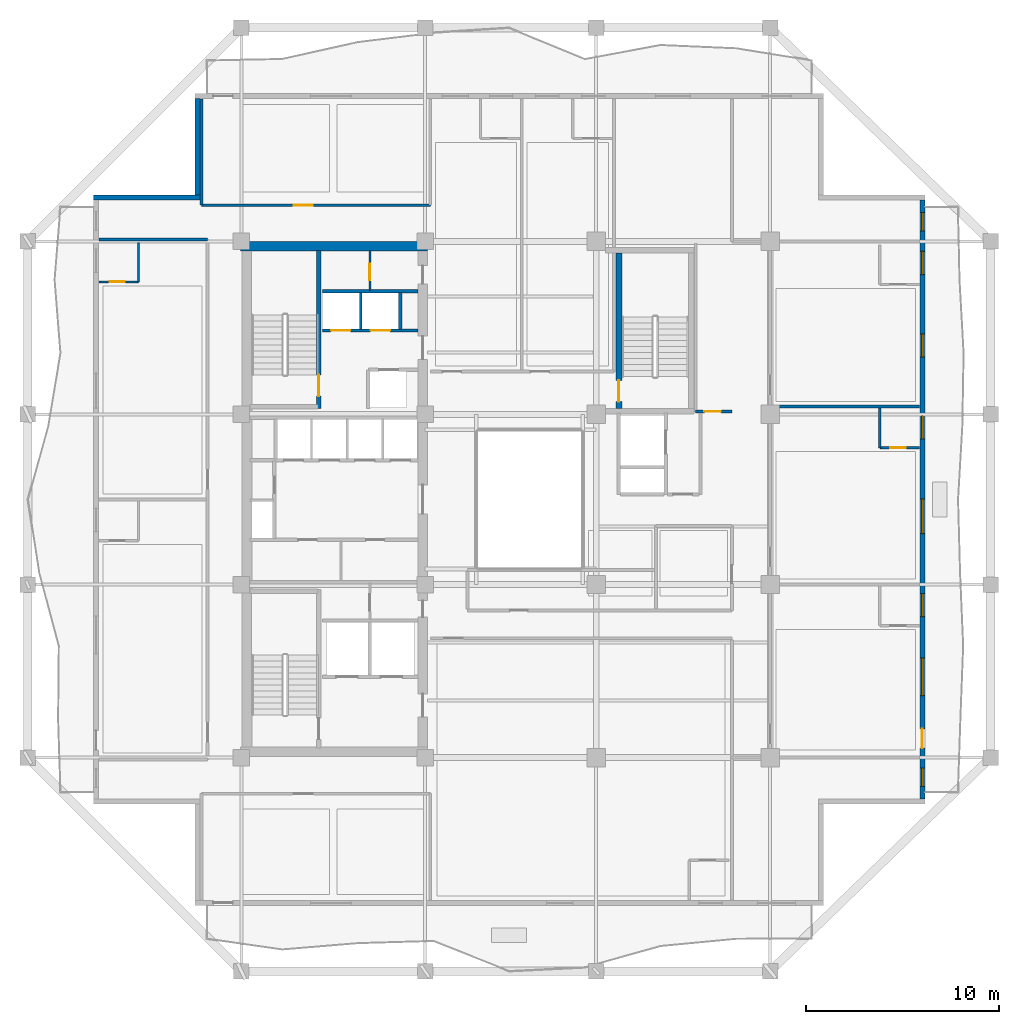
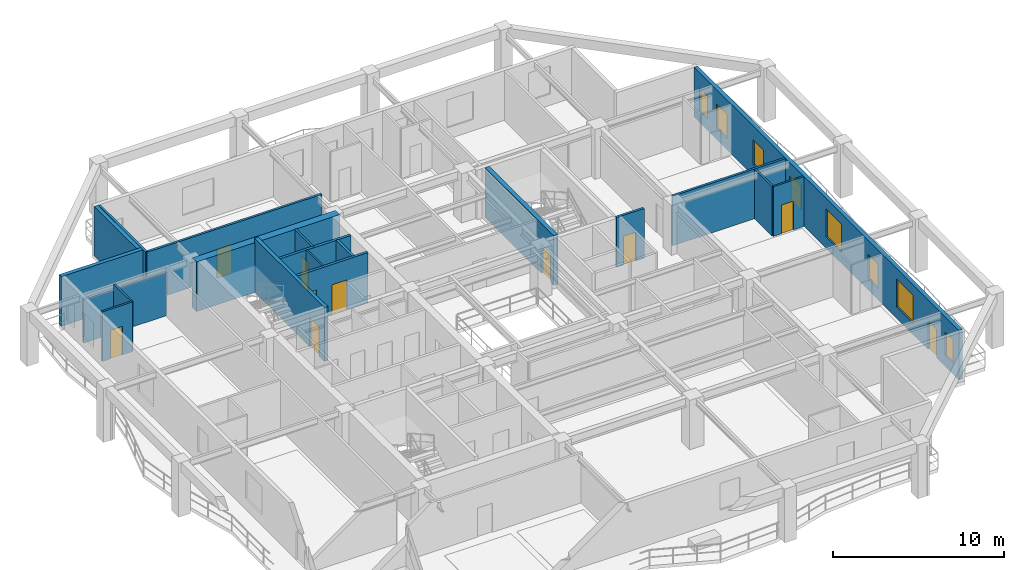
# One storey, part 5 of 12: 20 walls, 10 doors, 8 windows, 18 openings.
"""IFC4 building model written with IfcOpenShell, lengths in metres."""

from ifc_helpers import new_model, si_unit, direction, frame, frame_2d, origin, place, context, subcontext, project, spatial, rectangle, extrude, material, layer, layer_set, type_object, element, fill, save


model = new_model("IFC4")

# Units and contexts
model_context = context("Model", 3, precision=1e-05, world=origin(), true_north=direction((0.0, 1.0)))
body_context = subcontext(model_context, "Body", "Model", "MODEL_VIEW")
ifc_project = project(units=[si_unit("LENGTHUNIT", "METRE"), si_unit("AREAUNIT", "SQUARE_METRE"), si_unit("VOLUMEUNIT", "CUBIC_METRE"), si_unit("PLANEANGLEUNIT", "RADIAN"), si_unit("MASSUNIT", "GRAM", prefix="KILO")], contexts=[model_context])

# Site, building, storey
site_placement = place(None, origin())
site = spatial("IfcSite", under=ifc_project, at=site_placement, CompositionType="ELEMENT")
building_placement = place(site_placement, origin())
building = spatial("IfcBuilding", under=site, at=building_placement, Name="Kundavana Baori Tower", CompositionType="ELEMENT")
storey_placement = place(building_placement, frame((0.0, 0.0, 200.25)))
storey = spatial("IfcBuildingStorey", under=building, at=storey_placement, Name="L49", CompositionType="ELEMENT", Elevation=200.25)

# Wall, opening, door
ifc_material_1 = material(Name="Concrete C50/60", Category="concrete")
ifc_layer_1 = layer(ifc_material_1, 0.39990234375, Name="WL-CORE-400")
ifc_layer_set_1 = layer_set([ifc_layer_1], Name="Concrete C50/60")
wall_type_1 = type_object("IfcWallType", Name="WL-CORE-400", PredefinedType="SHEAR", material=ifc_layer_set_1)
wall_1_placement = place(storey_placement, frame((19.4599609375, 33.300048828125, 0.0), z_axis=(0.0, 0.0, 1.0), x_axis=(0.0, 1.0, 0.0)))
wall_1 = element("IfcWall", 1, at=wall_1_placement, inside=storey, type_object=wall_type_1, Name="WL-L49-ST2-E", PredefinedType="SHEAR", context=body_context, shape_type="SweptSolid", body=[
    extrude(rectangle(XDim=8.179931640625, YDim=0.239990234375, at=frame_2d((4.08984375, 0.0))), origin(), (0.0, 0.0, 1.0), 3.85009765625),
])
opening_1_placement = place(wall_1_placement, frame((0.64990234375, 0.0, 0.0)))
opening_1 = element("IfcOpeningElement", 2, at=opening_1_placement, cuts=wall_1, Name="Opening FD-110", PredefinedType="OPENING", context=body_context, shape_type="SweptSolid", body=[
    extrude(rectangle(XDim=1.10009765625, YDim=2.10009765625, at=frame_2d((0.550048828125, 1.050048828125))), frame((0.0, 0.1298828125, 0.0), z_axis=(0.0, -1.0, 0.0), x_axis=(1.0, 0.0, 0.0)), (0.0, 0.0, 1.0), 0.260009765625),
])
ifc_material_2 = material(Name="Galvanised Steel Fire-Rated Door Leaf", Category="steel")
door_type_1 = type_object("IfcDoorType", Name="DR-FD120-1100", OperationType="NOTDEFINED", PredefinedType="DOOR", material=ifc_material_2)
door_1_placement = place(opening_1_placement, origin())
door_1 = element("IfcDoor", 3, at=door_1_placement, inside=storey, type_object=door_type_1, Name="DR-L49-ST2", OperationType="SINGLE_SWING_RIGHT", OverallHeight=2.10009765625, OverallWidth=1.10009765625, PredefinedType="DOOR", context=body_context, shape_type="SweptSolid", body=[
    extrude(rectangle(XDim=1.10009765625, YDim=2.10009765625, at=frame_2d((0.550048828125, 1.050048828125))), frame((0.0, 0.02490234375, 0.0), z_axis=(0.0, -1.0, 0.0), x_axis=(1.0, 0.0, 0.0)), (0.0, 0.0, 1.0), 0.050048828125),
])
fill(opening_1, door_1)

# Wall
ifc_material_3 = material(Name="Concrete C50/60", Category="concrete")
ifc_layer_2 = layer(ifc_material_3, 0.5, Name="WL-CORE-500")
ifc_layer_set_2 = layer_set([ifc_layer_2], Name="Concrete C50/60")
wall_type_2 = type_object("IfcWallType", Name="WL-CORE-500", PredefinedType="SHEAR", material=ifc_layer_set_2)
wall_2_placement = place(storey_placement, frame((15.39990234375, 41.68994140625, 0.0), z_axis=(0.0, 0.0, 1.0), x_axis=(1.0, 0.0, 0.0)))
element("IfcWall", 4, at=wall_2_placement, inside=storey, type_object=wall_type_2, Name="L49 Offset Core North Shear Wall", PredefinedType="SHEAR", context=body_context, shape_type="SweptSolid", body=[
    extrude(rectangle(XDim=9.68017578125, YDim=0.5, at=frame_2d((4.840087890625, 0.0))), origin(), (0.0, 0.0, 1.0), 3.550048828125),
])

# Wall, openings, door, windows
ifc_material_4 = material(Name="Kiln-Fired Terracotta Brick-Slip Masonry on Concrete C40/50", Category="masonry")
ifc_layer_3 = layer(ifc_material_4, 0.260009765625, Name="WL-EXT-BRK-260")
ifc_layer_set_3 = layer_set([ifc_layer_3], Name="Kiln-Fired Terracotta Brick-Slip Masonry on Concrete C40/50")
wall_type_3 = type_object("IfcWallType", Name="WL-EXT-BRK-260", PredefinedType="SOLIDWALL", material=ifc_layer_set_3)
wall_3_placement = place(storey_placement, frame((50.669921875, 13.110107421875, 0.0), z_axis=(0.0, 0.0, 1.0), x_axis=(0.0, 1.0, 0.0)))
wall_3 = element("IfcWall", 5, at=wall_3_placement, inside=storey, type_object=wall_type_3, Name="L49 Exterior Insulated Facade Wall 04", PredefinedType="SOLIDWALL", context=body_context, shape_type="SweptSolid", body=[
    extrude(rectangle(XDim=30.97998046875, YDim=0.260009765625, at=frame_2d((15.489990234375, 0.0))), origin(), (0.0, 0.0, 1.0), 3.550048828125),
])
opening_2_placement = place(wall_3_placement, frame((0.64990234375, 0.0, 0.800048828125)))
opening_2 = element("IfcOpeningElement", 6, at=opening_2_placement, cuts=wall_3, Name="Opening W-13", PredefinedType="OPENING", context=body_context, shape_type="SweptSolid", body=[
    extrude(rectangle(XDim=0.949951171875, YDim=1.64990234375, at=frame_2d((0.47509765625, 0.824951171875))), frame((0.0, 0.14013671875, 0.0), z_axis=(0.0, -1.0, 0.0), x_axis=(1.0, 0.0, 0.0)), (0.0, 0.0, 1.0), 0.280029296875),
])
opening_3_placement = place(wall_3_placement, frame((2.6298828125, 0.0, 0.0)))
opening_3 = element("IfcOpeningElement", 7, at=opening_3_placement, cuts=wall_3, Name="Opening BD-1", PredefinedType="OPENING", context=body_context, shape_type="SweptSolid", body=[
    extrude(rectangle(XDim=1.0, YDim=2.050048828125, at=frame_2d((0.5, 1.02490234375))), frame((0.0, 0.14013671875, 0.0), z_axis=(0.0, -1.0, 0.0), x_axis=(1.0, 0.0, 0.0)), (0.0, 0.0, 1.0), 0.280029296875),
])
opening_4_placement = place(wall_3_placement, frame((5.35009765625, 0.0, 0.800048828125)))
opening_4 = element("IfcOpeningElement", 8, at=opening_4_placement, cuts=wall_3, Name="Opening W-09", PredefinedType="OPENING", context=body_context, shape_type="SweptSolid", body=[
    extrude(rectangle(XDim=1.949951171875, YDim=2.0, at=frame_2d((0.97509765625, 1.0))), frame((0.0, 0.14013671875, 0.0), z_axis=(0.0, -1.0, 0.0), x_axis=(1.0, 0.0, 0.0)), (0.0, 0.0, 1.0), 0.280029296875),
])
opening_5_placement = place(wall_3_placement, frame((9.425048828125, 0.0, 0.800048828125)))
opening_5 = element("IfcOpeningElement", 9, at=opening_5_placement, cuts=wall_3, Name="Opening W-03", PredefinedType="OPENING", context=body_context, shape_type="SweptSolid", body=[
    extrude(rectangle(XDim=1.199951171875, YDim=1.75, at=frame_2d((0.60009765625, 0.875))), frame((0.0, 0.14013671875, 0.0), z_axis=(0.0, -1.0, 0.0), x_axis=(1.0, 0.0, 0.0)), (0.0, 0.0, 1.0), 0.280029296875),
])
opening_6_placement = place(wall_3_placement, frame((13.72509765625, 0.0, 0.800048828125)))
opening_6 = element("IfcOpeningElement", 10, at=opening_6_placement, cuts=wall_3, Name="Opening W-01", PredefinedType="OPENING", context=body_context, shape_type="SweptSolid", body=[
    extrude(rectangle(XDim=1.800048828125, YDim=2.0, at=frame_2d((0.89990234375, 1.0))), frame((0.0, 0.14013671875, 0.0), z_axis=(0.0, -1.0, 0.0), x_axis=(1.0, 0.0, 0.0)), (0.0, 0.0, 1.0), 0.280029296875),
])
opening_7_placement = place(wall_3_placement, frame((18.625, 0.0, 0.800048828125)))
opening_7 = element("IfcOpeningElement", 11, at=opening_7_placement, cuts=wall_3, Name="Opening W-03", PredefinedType="OPENING", context=body_context, shape_type="SweptSolid", body=[
    extrude(rectangle(XDim=1.199951171875, YDim=1.75, at=frame_2d((0.60009765625, 0.875))), frame((0.0, 0.14013671875, 0.0), z_axis=(0.0, -1.0, 0.0), x_axis=(1.0, 0.0, 0.0)), (0.0, 0.0, 1.0), 0.280029296875),
])
opening_8_placement = place(wall_3_placement, frame((22.85009765625, 0.0, 0.800048828125)))
opening_8 = element("IfcOpeningElement", 12, at=opening_8_placement, cuts=wall_3, Name="Opening W-03", PredefinedType="OPENING", context=body_context, shape_type="SweptSolid", body=[
    extrude(rectangle(XDim=1.199951171875, YDim=1.75, at=frame_2d((0.60009765625, 0.875))), frame((0.0, 0.14013671875, 0.0), z_axis=(0.0, -1.0, 0.0), x_axis=(1.0, 0.0, 0.0)), (0.0, 0.0, 1.0), 0.280029296875),
])
opening_9_placement = place(wall_3_placement, frame((27.125, 0.0, 0.800048828125)))
opening_9 = element("IfcOpeningElement", 13, at=opening_9_placement, cuts=wall_3, Name="Opening W-03", PredefinedType="OPENING", context=body_context, shape_type="SweptSolid", body=[
    extrude(rectangle(XDim=1.199951171875, YDim=1.75, at=frame_2d((0.60009765625, 0.875))), frame((0.0, 0.14013671875, 0.0), z_axis=(0.0, -1.0, 0.0), x_axis=(1.0, 0.0, 0.0)), (0.0, 0.0, 1.0), 0.280029296875),
])
opening_10_placement = place(wall_3_placement, frame((29.3798828125, 0.0, 0.800048828125)))
opening_10 = element("IfcOpeningElement", 14, at=opening_10_placement, cuts=wall_3, Name="Opening W-13", PredefinedType="OPENING", context=body_context, shape_type="SweptSolid", body=[
    extrude(rectangle(XDim=0.949951171875, YDim=1.64990234375, at=frame_2d((0.47509765625, 0.824951171875))), frame((0.0, 0.14013671875, 0.0), z_axis=(0.0, -1.0, 0.0), x_axis=(1.0, 0.0, 0.0)), (0.0, 0.0, 1.0), 0.280029296875),
])
ifc_material_5 = material(Name="Architectural Patinated Bronze Metalwork")
door_type_2 = type_object("IfcDoorType", Name="DR-EXT-LOG-1000", OperationType="NOTDEFINED", PredefinedType="DOOR", material=ifc_material_5)
door_2_placement = place(opening_3_placement, frame((1.0, 0.0, 0.0), z_axis=(0.0, 0.0, 1.0), x_axis=(-1.0, 0.0, 0.0)))
door_2 = element("IfcDoor", 15, at=door_2_placement, inside=storey, type_object=door_type_2, Name="L49 Loggia Balcony Access Door E", OperationType="SINGLE_SWING_LEFT", OverallHeight=2.050048828125, OverallWidth=1.0, PredefinedType="DOOR", context=body_context, shape_type="SweptSolid", body=[
    extrude(rectangle(XDim=1.0, YDim=2.050048828125, at=frame_2d((0.5, 1.02490234375))), frame((0.0, 0.02490234375, 0.0), z_axis=(0.0, -1.0, 0.0), x_axis=(1.0, 0.0, 0.0)), (0.0, 0.0, 1.0), 0.050048828125),
])
fill(opening_3, door_2)
ifc_material_6 = material(Name="Double-Glazed Solar-Control Low-E Insulated Glass", Category="glass")
window_type_1 = type_object("IfcWindowType", Name="WIN-LOG-1200x1750", PartitioningType="SINGLE_PANEL", PredefinedType="WINDOW", material=ifc_material_6)
window_1_placement = place(opening_5_placement, origin())
window_1 = element("IfcWindow", 16, at=window_1_placement, inside=storey, type_object=window_type_1, Name="L49 Recessed Loggia Window E-3", OverallHeight=1.75, OverallWidth=1.199951171875, PartitioningType="SINGLE_PANEL", PredefinedType="WINDOW", context=body_context, shape_type="SweptSolid", body=[
    extrude(rectangle(XDim=1.199951171875, YDim=1.75, at=frame_2d((0.60009765625, 0.875))), frame((0.0, 0.030029296875, 0.0), z_axis=(0.0, -1.0, 0.0), x_axis=(1.0, 0.0, 0.0)), (0.0, 0.0, 1.0), 0.06005859375),
])
fill(opening_5, window_1)
window_2_placement = place(opening_7_placement, origin())
window_2 = element("IfcWindow", 17, at=window_2_placement, inside=storey, type_object=window_type_1, Name="L49 Recessed Loggia Window E-5", OverallHeight=1.75, OverallWidth=1.199951171875, PartitioningType="SINGLE_PANEL", PredefinedType="WINDOW", context=body_context, shape_type="SweptSolid", body=[
    extrude(rectangle(XDim=1.199951171875, YDim=1.75, at=frame_2d((0.60009765625, 0.875))), frame((0.0, 0.030029296875, 0.0), z_axis=(0.0, -1.0, 0.0), x_axis=(1.0, 0.0, 0.0)), (0.0, 0.0, 1.0), 0.06005859375),
])
fill(opening_7, window_2)
window_3_placement = place(opening_8_placement, origin())
window_3 = element("IfcWindow", 18, at=window_3_placement, inside=storey, type_object=window_type_1, Name="L49 Recessed Loggia Window E-6", OverallHeight=1.75, OverallWidth=1.199951171875, PartitioningType="SINGLE_PANEL", PredefinedType="WINDOW", context=body_context, shape_type="SweptSolid", body=[
    extrude(rectangle(XDim=1.199951171875, YDim=1.75, at=frame_2d((0.60009765625, 0.875))), frame((0.0, 0.030029296875, 0.0), z_axis=(0.0, -1.0, 0.0), x_axis=(1.0, 0.0, 0.0)), (0.0, 0.0, 1.0), 0.06005859375),
])
fill(opening_8, window_3)
window_4_placement = place(opening_9_placement, origin())
window_4 = element("IfcWindow", 19, at=window_4_placement, inside=storey, type_object=window_type_1, Name="L49 Recessed Loggia Window E-7", OverallHeight=1.75, OverallWidth=1.199951171875, PartitioningType="SINGLE_PANEL", PredefinedType="WINDOW", context=body_context, shape_type="SweptSolid", body=[
    extrude(rectangle(XDim=1.199951171875, YDim=1.75, at=frame_2d((0.60009765625, 0.875))), frame((0.0, 0.030029296875, 0.0), z_axis=(0.0, -1.0, 0.0), x_axis=(1.0, 0.0, 0.0)), (0.0, 0.0, 1.0), 0.06005859375),
])
fill(opening_9, window_4)
ifc_material_7 = material(Name="Double-Glazed Solar-Control Low-E Insulated Glass", Category="glass")
window_type_2 = type_object("IfcWindowType", Name="WIN-LOG-1800x2000", PartitioningType="SINGLE_PANEL", PredefinedType="WINDOW", material=ifc_material_7)
window_5_placement = place(opening_6_placement, origin())
window_5 = element("IfcWindow", 20, at=window_5_placement, inside=storey, type_object=window_type_2, Name="L49 Recessed Loggia Window E-4", OverallHeight=2.0, OverallWidth=1.800048828125, PartitioningType="SINGLE_PANEL", PredefinedType="WINDOW", context=body_context, shape_type="SweptSolid", body=[
    extrude(rectangle(XDim=1.800048828125, YDim=2.0, at=frame_2d((0.89990234375, 1.0))), frame((0.0, 0.030029296875, 0.0), z_axis=(0.0, -1.0, 0.0), x_axis=(1.0, 0.0, 0.0)), (0.0, 0.0, 1.0), 0.06005859375),
])
fill(opening_6, window_5)
ifc_material_8 = material(Name="Double-Glazed Solar-Control Low-E Insulated Glass", Category="glass")
window_type_3 = type_object("IfcWindowType", Name="WIN-LOG-1950x2000", PartitioningType="SINGLE_PANEL", PredefinedType="WINDOW", material=ifc_material_8)
window_6_placement = place(opening_4_placement, origin())
window_6 = element("IfcWindow", 21, at=window_6_placement, inside=storey, type_object=window_type_3, Name="L49 Recessed Loggia Window E-2", OverallHeight=2.0, OverallWidth=1.949951171875, PartitioningType="SINGLE_PANEL", PredefinedType="WINDOW", context=body_context, shape_type="SweptSolid", body=[
    extrude(rectangle(XDim=1.949951171875, YDim=2.0, at=frame_2d((0.97509765625, 1.0))), frame((0.0, 0.030029296875, 0.0), z_axis=(0.0, -1.0, 0.0), x_axis=(1.0, 0.0, 0.0)), (0.0, 0.0, 1.0), 0.06005859375),
])
fill(opening_4, window_6)
ifc_material_9 = material(Name="Double-Glazed Solar-Control Low-E Insulated Glass", Category="glass")
window_type_4 = type_object("IfcWindowType", Name="WIN-LOG-950x1650", PartitioningType="SINGLE_PANEL", PredefinedType="WINDOW", material=ifc_material_9)
window_7_placement = place(opening_2_placement, origin())
window_7 = element("IfcWindow", 22, at=window_7_placement, inside=storey, type_object=window_type_4, Name="L49 Recessed Loggia Window E-1", OverallHeight=1.64990234375, OverallWidth=0.949951171875, PartitioningType="SINGLE_PANEL", PredefinedType="WINDOW", context=body_context, shape_type="SweptSolid", body=[
    extrude(rectangle(XDim=0.949951171875, YDim=1.64990234375, at=frame_2d((0.47509765625, 0.824951171875))), frame((0.0, 0.030029296875, 0.0), z_axis=(0.0, -1.0, 0.0), x_axis=(1.0, 0.0, 0.0)), (0.0, 0.0, 1.0), 0.06005859375),
])
fill(opening_2, window_7)
window_8_placement = place(opening_10_placement, origin())
window_8 = element("IfcWindow", 23, at=window_8_placement, inside=storey, type_object=window_type_4, Name="L49 Recessed Loggia Window E-8", OverallHeight=1.64990234375, OverallWidth=0.949951171875, PartitioningType="SINGLE_PANEL", PredefinedType="WINDOW", context=body_context, shape_type="SweptSolid", body=[
    extrude(rectangle(XDim=0.949951171875, YDim=1.64990234375, at=frame_2d((0.47509765625, 0.824951171875))), frame((0.0, 0.030029296875, 0.0), z_axis=(0.0, -1.0, 0.0), x_axis=(1.0, 0.0, 0.0)), (0.0, 0.0, 1.0), 0.06005859375),
])
fill(opening_10, window_8)

# Walls
wall_4_placement = place(storey_placement, frame((13.179931640625, 49.340087890625, 0.0), z_axis=(0.0, 0.0, 1.0), x_axis=(0.0, -1.0, 0.0)))
element("IfcWall", 24, at=wall_4_placement, inside=storey, type_object=wall_type_3, Name="L49 Exterior Insulated Facade Wall 08", PredefinedType="SOLIDWALL", context=body_context, shape_type="SweptSolid", body=[
    extrude(rectangle(XDim=4.989990234375, YDim=0.260009765625, at=frame_2d((2.4951171875, 0.0))), origin(), (0.0, 0.0, 1.0), 3.550048828125),
])
wall_5_placement = place(storey_placement, frame((13.31005859375, 44.219970703125, 0.0), z_axis=(0.0, 0.0, 1.0), x_axis=(-1.0, 0.0, 0.0)))
element("IfcWall", 25, at=wall_5_placement, inside=storey, type_object=wall_type_3, Name="L49 Exterior Insulated Facade Wall 09", PredefinedType="SOLIDWALL", context=body_context, shape_type="SweptSolid", body=[
    extrude(rectangle(XDim=5.510009765625, YDim=0.260009765625, at=frame_2d((2.7548828125, 0.0))), origin(), (0.0, 0.0, 1.0), 3.550048828125),
])
ifc_material_10 = material(Name="Acoustic Gypsum Plasterboard on Galvanised Steel Studs", Category="steel")
ifc_layer_4 = layer(ifc_material_10, 0.1201171875, Name="WL-PART-120")
ifc_layer_set_4 = layer_set([ifc_layer_4], Name="Acoustic Gypsum Plasterboard on Galvanised Steel Studs")
wall_type_4 = type_object("IfcWallType", Name="WL-PART-120", PredefinedType="PARTITIONING", material=ifc_layer_set_4)
wall_6_placement = place(storey_placement, frame((21.6201171875, 37.39990234375, 0.0), z_axis=(0.0, 0.0, 1.0), x_axis=(0.0, 1.0, 0.0)))
element("IfcWall", 26, at=wall_6_placement, inside=storey, type_object=wall_type_4, Name="WL-L49-HR-DIV1", PredefinedType="PARTITIONING", context=body_context, shape_type="SweptSolid", body=[
    extrude(rectangle(XDim=1.900146484375, YDim=0.1201171875, at=frame_2d((0.9501953125, 0.0))), origin(), (0.0, 0.0, 1.0), 3.550048828125),
])

# Wall, opening, door
wall_7_placement = place(storey_placement, frame((22.10009765625, 39.39990234375, 0.0), z_axis=(0.0, 0.0, 1.0), x_axis=(0.0, 1.0, 0.0)))
wall_7 = element("IfcWall", 27, at=wall_7_placement, inside=storey, type_object=wall_type_4, Name="WL-L49-CSRV-D1", PredefinedType="PARTITIONING", context=body_context, shape_type="SweptSolid", body=[
    extrude(rectangle(XDim=2.080078125, YDim=0.1201171875, at=frame_2d((1.0400390625, 0.0))), origin(), (0.0, 0.0, 1.0), 3.550048828125),
])
opening_11_placement = place(wall_7_placement, frame((0.550048828125, 0.0, 0.0)))
opening_11 = element("IfcOpeningElement", 28, at=opening_11_placement, cuts=wall_7, Name="Opening FD-085", PredefinedType="OPENING", context=body_context, shape_type="SweptSolid", body=[
    extrude(rectangle(XDim=0.85009765625, YDim=2.06005859375, at=frame_2d((0.425048828125, 1.030029296875))), frame((0.0, 0.070068359375, 0.0), z_axis=(0.0, -1.0, 0.0), x_axis=(1.0, 0.0, 0.0)), (0.0, 0.0, 1.0), 0.14013671875),
])
ifc_material_11 = material(Name="Galvanised Steel Fire-Rated Door Leaf", Category="steel")
door_type_3 = type_object("IfcDoorType", Name="DR-FD60-850", OperationType="NOTDEFINED", PredefinedType="DOOR", material=ifc_material_11)
door_3_placement = place(opening_11_placement, origin())
door_3 = element("IfcDoor", 29, at=door_3_placement, inside=storey, type_object=door_type_3, Name="DR-L49-CSRV1", OperationType="SINGLE_SWING_LEFT", OverallHeight=2.06005859375, OverallWidth=0.85009765625, PredefinedType="DOOR", context=body_context, shape_type="SweptSolid", body=[
    extrude(rectangle(XDim=0.85009765625, YDim=2.06005859375, at=frame_2d((0.425048828125, 1.030029296875))), frame((0.0, 0.02490234375, 0.0), z_axis=(0.0, -1.0, 0.0), x_axis=(1.0, 0.0, 0.0)), (0.0, 0.0, 1.0), 0.050048828125),
])
fill(opening_11, door_3)

# Wall
ifc_material_12 = material(Name="Fire-Rated Gypsum Drywall on Galvanised Steel Studs", Category="steel")
ifc_layer_5 = layer(ifc_material_12, 0.14990234375, Name="WL-PART-150")
ifc_layer_set_5 = layer_set([ifc_layer_5], Name="Fire-Rated Gypsum Drywall on Galvanised Steel Studs")
wall_type_5 = type_object("IfcWallType", Name="WL-PART-150", PredefinedType="PARTITIONING", material=ifc_layer_set_5)
wall_8_placement = place(storey_placement, frame((8.080078125, 42.0400390625, 0.0), z_axis=(0.0, 0.0, 1.0), x_axis=(1.0, 0.0, 0.0)))
element("IfcWall", 30, at=wall_8_placement, inside=storey, type_object=wall_type_5, Name="WL-L49-HWN", PredefinedType="PARTITIONING", context=body_context, shape_type="SweptSolid", body=[
    extrude(rectangle(XDim=5.619873046875, YDim=0.14990234375, at=frame_2d((2.81005859375, 0.0))), origin(), (0.0, 0.0, 1.0), 3.10009765625),
])

# Wall, opening, door
wall_9_placement = place(storey_placement, frame((13.389892578125, 43.820068359375, 0.0), z_axis=(0.0, 0.0, 1.0), x_axis=(1.0, 0.0, 0.0)))
wall_9 = element("IfcWall", 31, at=wall_9_placement, inside=storey, type_object=wall_type_5, Name="WL-L49-HNC", PredefinedType="PARTITIONING", context=body_context, shape_type="SweptSolid", body=[
    extrude(rectangle(XDim=11.830078125, YDim=0.14990234375, at=frame_2d((5.9150390625, 0.0))), origin(), (0.0, 0.0, 1.0), 3.550048828125),
])
opening_12_placement = place(wall_9_placement, frame((4.760009765625, 0.0, 0.0)))
opening_12 = element("IfcOpeningElement", 32, at=opening_12_placement, cuts=wall_9, Name="Opening ID-100", PredefinedType="OPENING", context=body_context, shape_type="SweptSolid", body=[
    extrude(rectangle(XDim=1.0, YDim=2.080078125, at=frame_2d((0.5, 1.0400390625))), frame((0.0, 0.0849609375, 0.0), z_axis=(0.0, -1.0, 0.0), x_axis=(1.0, 0.0, 0.0)), (0.0, 0.0, 1.0), 0.169921875),
])
ifc_material_13 = material(Name="Engineered Teak Solid-Core Timber Veneer", Category="wood")
door_type_4 = type_object("IfcDoorType", Name="DR-INT-1000", OperationType="NOTDEFINED", PredefinedType="DOOR", material=ifc_material_13)
door_4_placement = place(opening_12_placement, origin())
door_4 = element("IfcDoor", 33, at=door_4_placement, inside=storey, type_object=door_type_4, Name="DR-L49-HMNW", OperationType="SINGLE_SWING_RIGHT", OverallHeight=2.080078125, OverallWidth=1.0, PredefinedType="DOOR", context=body_context, shape_type="SweptSolid", body=[
    extrude(rectangle(XDim=1.0, YDim=2.080078125, at=frame_2d((0.5, 1.0400390625))), frame((0.0, 0.02490234375, 0.0), z_axis=(0.0, -1.0, 0.0), x_axis=(1.0, 0.0, 0.0)), (0.0, 0.0, 1.0), 0.050048828125),
])
fill(opening_12, door_4)

# Walls
wall_10_placement = place(storey_placement, frame((13.389892578125, 43.820068359375, 0.0), z_axis=(0.0, 0.0, 1.0), x_axis=(0.0, 1.0, 0.0)))
element("IfcWall", 34, at=wall_10_placement, inside=storey, type_object=wall_type_5, Name="WL-L49-HNCW", PredefinedType="PARTITIONING", context=body_context, shape_type="SweptSolid", body=[
    extrude(rectangle(XDim=5.5, YDim=0.14990234375, at=frame_2d((2.75, 0.0))), origin(), (0.0, 0.0, 1.0), 3.550048828125),
])
wall_11_placement = place(storey_placement, frame((42.8798828125, 33.39990234375, 0.0), z_axis=(0.0, 0.0, 1.0), x_axis=(1.0, 0.0, 0.0)))
element("IfcWall", 35, at=wall_11_placement, inside=storey, type_object=wall_type_5, Name="WL-L49-HED2", PredefinedType="PARTITIONING", context=body_context, shape_type="SweptSolid", body=[
    extrude(rectangle(XDim=7.64013671875, YDim=0.14990234375, at=frame_2d((3.820068359375, 0.0))), origin(), (0.0, 0.0, 1.0), 3.550048828125),
])

# Wall, opening, door
wall_12_placement = place(storey_placement, frame((38.949951171875, 33.14990234375, 0.0), z_axis=(0.0, 0.0, 1.0), x_axis=(1.0, 0.0, 0.0)))
wall_12 = element("IfcWall", 36, at=wall_12_placement, inside=storey, type_object=wall_type_5, Name="WL-L49-HNES", PredefinedType="PARTITIONING", context=body_context, shape_type="SweptSolid", body=[
    extrude(rectangle(XDim=1.8701171875, YDim=0.14990234375, at=frame_2d((0.93505859375, 0.0))), origin(), (0.0, 0.0, 1.0), 3.550048828125),
])
opening_13_placement = place(wall_12_placement, frame((0.449951171875, 0.0, 0.0)))
opening_13 = element("IfcOpeningElement", 37, at=opening_13_placement, cuts=wall_12, Name="Opening WD-085", PredefinedType="OPENING", context=body_context, shape_type="SweptSolid", body=[
    extrude(rectangle(XDim=0.85009765625, YDim=2.050048828125, at=frame_2d((0.425048828125, 1.02490234375))), frame((0.0, 0.0849609375, 0.0), z_axis=(0.0, -1.0, 0.0), x_axis=(1.0, 0.0, 0.0)), (0.0, 0.0, 1.0), 0.169921875),
])
ifc_material_14 = material(Name="Engineered Teak Solid-Core Timber Veneer", Category="wood")
door_type_5 = type_object("IfcDoorType", Name="DR-WET-850", OperationType="NOTDEFINED", PredefinedType="DOOR", material=ifc_material_14)
door_5_placement = place(opening_13_placement, origin())
door_5 = element("IfcDoor", 38, at=door_5_placement, inside=storey, type_object=door_type_5, Name="DR-L49-HLNE", OperationType="SINGLE_SWING_LEFT", OverallHeight=2.050048828125, OverallWidth=0.85009765625, PredefinedType="DOOR", context=body_context, shape_type="SweptSolid", body=[
    extrude(rectangle(XDim=0.85009765625, YDim=2.050048828125, at=frame_2d((0.425048828125, 1.02490234375))), frame((0.0, 0.02490234375, 0.0), z_axis=(0.0, -1.0, 0.0), x_axis=(1.0, 0.0, 0.0)), (0.0, 0.0, 1.0), 0.050048828125),
])
fill(opening_13, door_5)

# Wall, openings, doors
ifc_material_15 = material(Name="Autoclaved Aerated Concrete Blockwork Masonry", Category="masonry")
ifc_layer_6 = layer(ifc_material_15, 0.179931640625, Name="WL-SHAFT-180")
ifc_layer_set_6 = layer_set([ifc_layer_6], Name="Autoclaved Aerated Concrete Blockwork Masonry")
wall_type_6 = type_object("IfcWallType", Name="WL-SHAFT-180", PredefinedType="SOLIDWALL", material=ifc_layer_set_6)
wall_13_placement = place(storey_placement, frame((19.639892578125, 37.340087890625, 0.0), z_axis=(0.0, 0.0, 1.0), x_axis=(1.0, 0.0, 0.0)))
wall_13 = element("IfcWall", 39, at=wall_13_placement, inside=storey, type_object=wall_type_6, Name="WL-L49-HRLOB-N", PredefinedType="SOLIDWALL", context=body_context, shape_type="SweptSolid", body=[
    extrude(rectangle(XDim=4.940185546875, YDim=0.179931640625, at=frame_2d((2.47021484375, 0.0))), origin(), (0.0, 0.0, 1.0), 3.550048828125),
])
opening_14_placement = place(wall_13_placement, frame((0.449951171875, 0.0, 0.0)))
opening_14 = element("IfcOpeningElement", 40, at=opening_14_placement, cuts=wall_13, Name="Opening LD-100", PredefinedType="OPENING", context=body_context, shape_type="SweptSolid", body=[
    extrude(rectangle(XDim=1.0, YDim=2.10009765625, at=frame_2d((0.5, 1.050048828125))), frame((0.0, 0.10009765625, 0.0), z_axis=(0.0, -1.0, 0.0), x_axis=(1.0, 0.0, 0.0)), (0.0, 0.0, 1.0), 0.199951171875),
])
opening_15_placement = place(wall_13_placement, frame((2.5, 0.0, 0.0)))
opening_15 = element("IfcOpeningElement", 41, at=opening_15_placement, cuts=wall_13, Name="Opening LD-100", PredefinedType="OPENING", context=body_context, shape_type="SweptSolid", body=[
    extrude(rectangle(XDim=1.0, YDim=2.10009765625, at=frame_2d((0.5, 1.050048828125))), frame((0.0, 0.10009765625, 0.0), z_axis=(0.0, -1.0, 0.0), x_axis=(1.0, 0.0, 0.0)), (0.0, 0.0, 1.0), 0.199951171875),
])
ifc_material_16 = material(Name="Galvanised Steel Fire-Rated Door Leaf", Category="steel")
door_type_6 = type_object("IfcDoorType", Name="DR-SLIDE-LD1000", OperationType="NOTDEFINED", PredefinedType="DOOR", material=ifc_material_16)
door_6_placement = place(opening_14_placement, frame((1.0, 0.0, 0.0), z_axis=(0.0, 0.0, 1.0), x_axis=(-1.0, 0.0, 0.0)))
door_6 = element("IfcDoor", 42, at=door_6_placement, inside=storey, type_object=door_type_6, Name="DR-L49-LD-LP09", OperationType="DOUBLE_DOOR_SLIDING", OverallHeight=2.10009765625, OverallWidth=1.0, PredefinedType="DOOR", context=body_context, shape_type="SweptSolid", body=[
    extrude(rectangle(XDim=1.0, YDim=2.10009765625, at=frame_2d((0.5, 1.050048828125))), frame((0.0, 0.02490234375, 0.0), z_axis=(0.0, -1.0, 0.0), x_axis=(1.0, 0.0, 0.0)), (0.0, 0.0, 1.0), 0.050048828125),
])
fill(opening_14, door_6)
door_7_placement = place(opening_15_placement, frame((1.0, 0.0, 0.0), z_axis=(0.0, 0.0, 1.0), x_axis=(-1.0, 0.0, 0.0)))
door_7 = element("IfcDoor", 43, at=door_7_placement, inside=storey, type_object=door_type_6, Name="DR-L49-LD-LP10", OperationType="DOUBLE_DOOR_SLIDING", OverallHeight=2.10009765625, OverallWidth=1.0, PredefinedType="DOOR", context=body_context, shape_type="SweptSolid", body=[
    extrude(rectangle(XDim=1.0, YDim=2.10009765625, at=frame_2d((0.5, 1.050048828125))), frame((0.0, 0.02490234375, 0.0), z_axis=(0.0, -1.0, 0.0), x_axis=(1.0, 0.0, 0.0)), (0.0, 0.0, 1.0), 0.050048828125),
])
fill(opening_15, door_7)

# Walls
wall_14_placement = place(storey_placement, frame((19.639892578125, 39.360107421875, 0.0), z_axis=(0.0, 0.0, 1.0), x_axis=(1.0, 0.0, 0.0)))
element("IfcWall", 44, at=wall_14_placement, inside=storey, type_object=wall_type_6, Name="WL-L49-HRLOB-TOP", PredefinedType="SOLIDWALL", context=body_context, shape_type="SweptSolid", body=[
    extrude(rectangle(XDim=4.940185546875, YDim=0.179931640625, at=frame_2d((2.47021484375, 0.0))), origin(), (0.0, 0.0, 1.0), 3.550048828125),
])
wall_15_placement = place(storey_placement, frame((23.659912109375, 37.39990234375, 0.0), z_axis=(0.0, 0.0, 1.0), x_axis=(0.0, 1.0, 0.0)))
element("IfcWall", 45, at=wall_15_placement, inside=storey, type_object=wall_type_6, Name="WL-L49-HR-DIV2", PredefinedType="SOLIDWALL", context=body_context, shape_type="SweptSolid", body=[
    extrude(rectangle(XDim=1.900146484375, YDim=0.179931640625, at=frame_2d((0.9501953125, 0.0))), origin(), (0.0, 0.0, 1.0), 3.550048828125),
])

# Wall, opening, door
ifc_material_17 = material(Name="Concrete C50/60", Category="concrete")
ifc_layer_7 = layer(ifc_material_17, 0.300048828125, Name="WL-ST3-300")
ifc_layer_set_7 = layer_set([ifc_layer_7], Name="Concrete C50/60")
wall_type_7 = type_object("IfcWallType", Name="WL-ST3-300", PredefinedType="SHEAR", material=ifc_layer_set_7)
wall_16_placement = place(storey_placement, frame((34.97998046875, 33.31005859375, 0.0), z_axis=(0.0, 0.0, 1.0), x_axis=(0.0, 1.0, 0.0)))
wall_16 = element("IfcWall", 46, at=wall_16_placement, inside=storey, type_object=wall_type_7, Name="L49 Stair ST3 West Shear Wall", PredefinedType="SHEAR", context=body_context, shape_type="SweptSolid", body=[
    extrude(rectangle(XDim=8.030029296875, YDim=0.300048828125, at=frame_2d((4.01513671875, 0.0))), origin(), (0.0, 0.0, 1.0), 3.550048828125),
])
opening_16_placement = place(wall_16_placement, frame((0.35009765625, 0.0, 0.0)))
opening_16 = element("IfcOpeningElement", 47, at=opening_16_placement, cuts=wall_16, Name="Opening FD-110", PredefinedType="OPENING", context=body_context, shape_type="SweptSolid", body=[
    extrude(rectangle(XDim=1.10009765625, YDim=2.10009765625, at=frame_2d((0.550048828125, 1.050048828125))), frame((0.0, 0.16015625, 0.0), z_axis=(0.0, -1.0, 0.0), x_axis=(1.0, 0.0, 0.0)), (0.0, 0.0, 1.0), 0.320068359375),
])
door_8_placement = place(opening_16_placement, origin())
door_8 = element("IfcDoor", 48, at=door_8_placement, inside=storey, type_object=door_type_1, Name="DR-L49-ST3-W", OperationType="SINGLE_SWING_LEFT", OverallHeight=2.10009765625, OverallWidth=1.10009765625, PredefinedType="DOOR", context=body_context, shape_type="SweptSolid", body=[
    extrude(rectangle(XDim=1.10009765625, YDim=2.10009765625, at=frame_2d((0.550048828125, 1.050048828125))), frame((0.0, 0.02490234375, 0.0), z_axis=(0.0, -1.0, 0.0), x_axis=(1.0, 0.0, 0.0)), (0.0, 0.0, 1.0), 0.050048828125),
])
fill(opening_16, door_8)

# Wall
ifc_material_18 = material(Name="Autoclaved Aerated Concrete Blockwork Masonry", Category="masonry")
ifc_layer_8 = layer(ifc_material_18, 0.125, Name="WL-WET-120")
ifc_layer_set_8 = layer_set([ifc_layer_8], Name="Autoclaved Aerated Concrete Blockwork Masonry")
wall_type_8 = type_object("IfcWallType", Name="WL-WET-120", PredefinedType="PLUMBINGWALL", material=ifc_layer_set_8)
wall_17_placement = place(storey_placement, frame((10.1298828125, 39.85009765625, 0.0), z_axis=(0.0, 0.0, 1.0), x_axis=(0.0, 1.0, 0.0)))
element("IfcWall", 49, at=wall_17_placement, inside=storey, type_object=wall_type_8, Name="WL-L49-HK-W2-BE", PredefinedType="PLUMBINGWALL", context=body_context, shape_type="SweptSolid", body=[
    extrude(rectangle(XDim=2.0498046875, YDim=0.125, at=frame_2d((1.02490234375, 0.0))), origin(), (0.0, 0.0, 1.0), 3.550048828125),
])

# Wall, opening, door
wall_18_placement = place(storey_placement, frame((8.080078125, 39.85009765625, 0.0), z_axis=(0.0, 0.0, 1.0), x_axis=(1.0, 0.0, 0.0)))
wall_18 = element("IfcWall", 50, at=wall_18_placement, inside=storey, type_object=wall_type_8, Name="WL-L49-HK-W2-BS", PredefinedType="PLUMBINGWALL", context=body_context, shape_type="SweptSolid", body=[
    extrude(rectangle(XDim=2.0498046875, YDim=0.125, at=frame_2d((1.02490234375, 0.0))), origin(), (0.0, 0.0, 1.0), 3.550048828125),
])
opening_17_placement = place(wall_18_placement, frame((0.550048828125, 0.0, 0.0)))
opening_17 = element("IfcOpeningElement", 51, at=opening_17_placement, cuts=wall_18, Name="Opening WD-080", PredefinedType="OPENING", context=body_context, shape_type="SweptSolid", body=[
    extrude(rectangle(XDim=0.800048828125, YDim=2.050048828125, at=frame_2d((0.39990234375, 1.02490234375))), frame((0.0, 0.072509765625, 0.0), z_axis=(0.0, -1.0, 0.0), x_axis=(1.0, 0.0, 0.0)), (0.0, 0.0, 1.0), 0.14501953125),
])
ifc_material_19 = material(Name="Engineered Teak Solid-Core Timber Veneer", Category="wood")
door_type_7 = type_object("IfcDoorType", Name="DR-WET-800", OperationType="NOTDEFINED", PredefinedType="DOOR", material=ifc_material_19)
door_9_placement = place(opening_17_placement, frame((0.800048828125, 0.0, 0.0), z_axis=(0.0, 0.0, 1.0), x_axis=(-1.0, 0.0, 0.0)))
door_9 = element("IfcDoor", 52, at=door_9_placement, inside=storey, type_object=door_type_7, Name="DR-L49-HK-W2-ENS", OperationType="SINGLE_SWING_LEFT", OverallHeight=2.050048828125, OverallWidth=0.800048828125, PredefinedType="DOOR", context=body_context, shape_type="SweptSolid", body=[
    extrude(rectangle(XDim=0.800048828125, YDim=2.050048828125, at=frame_2d((0.39990234375, 1.02490234375))), frame((0.0, 0.02490234375, 0.0), z_axis=(0.0, -1.0, 0.0), x_axis=(1.0, 0.0, 0.0)), (0.0, 0.0, 1.0), 0.050048828125),
])
fill(opening_17, door_9)

# Wall
wall_19_placement = place(storey_placement, frame((48.469970703125, 31.27001953125, 0.0), z_axis=(0.0, 0.0, 1.0), x_axis=(0.0, 1.0, 0.0)))
element("IfcWall", 53, at=wall_19_placement, inside=storey, type_object=wall_type_8, Name="WL-L49-HK-E2-BW", PredefinedType="PLUMBINGWALL", context=body_context, shape_type="SweptSolid", body=[
    extrude(rectangle(XDim=2.050048828125, YDim=0.125, at=frame_2d((1.02490234375, 0.0))), origin(), (0.0, 0.0, 1.0), 3.550048828125),
])

# Wall, opening, door
wall_20_placement = place(storey_placement, frame((48.469970703125, 31.27001953125, 0.0), z_axis=(0.0, 0.0, 1.0), x_axis=(1.0, 0.0, 0.0)))
wall_20 = element("IfcWall", 54, at=wall_20_placement, inside=storey, type_object=wall_type_8, Name="WL-L49-HK-E2-BS", PredefinedType="PLUMBINGWALL", context=body_context, shape_type="SweptSolid", body=[
    extrude(rectangle(XDim=2.050048828125, YDim=0.125, at=frame_2d((1.02490234375, 0.0))), origin(), (0.0, 0.0, 1.0), 3.550048828125),
])
opening_18_placement = place(wall_20_placement, frame((0.550048828125, 0.0, 0.0)))
opening_18 = element("IfcOpeningElement", 55, at=opening_18_placement, cuts=wall_20, Name="Opening WD-080", PredefinedType="OPENING", context=body_context, shape_type="SweptSolid", body=[
    extrude(rectangle(XDim=0.800048828125, YDim=2.050048828125, at=frame_2d((0.39990234375, 1.02490234375))), frame((0.0, 0.072509765625, 0.0), z_axis=(0.0, -1.0, 0.0), x_axis=(1.0, 0.0, 0.0)), (0.0, 0.0, 1.0), 0.14501953125),
])
door_10_placement = place(opening_18_placement, frame((0.800048828125, 0.0, 0.0), z_axis=(0.0, 0.0, 1.0), x_axis=(-1.0, 0.0, 0.0)))
door_10 = element("IfcDoor", 56, at=door_10_placement, inside=storey, type_object=door_type_7, Name="DR-L49-HK-E2-ENS", OperationType="SINGLE_SWING_LEFT", OverallHeight=2.050048828125, OverallWidth=0.800048828125, PredefinedType="DOOR", context=body_context, shape_type="SweptSolid", body=[
    extrude(rectangle(XDim=0.800048828125, YDim=2.050048828125, at=frame_2d((0.39990234375, 1.02490234375))), frame((0.0, 0.02490234375, 0.0), z_axis=(0.0, -1.0, 0.0), x_axis=(1.0, 0.0, 0.0)), (0.0, 0.0, 1.0), 0.050048828125),
])
fill(opening_18, door_10)

save(model, "model.ifc")
